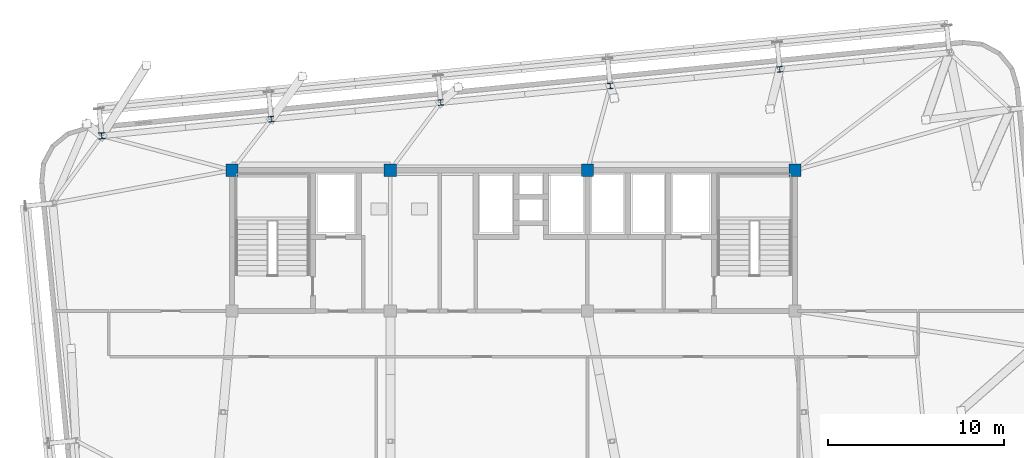
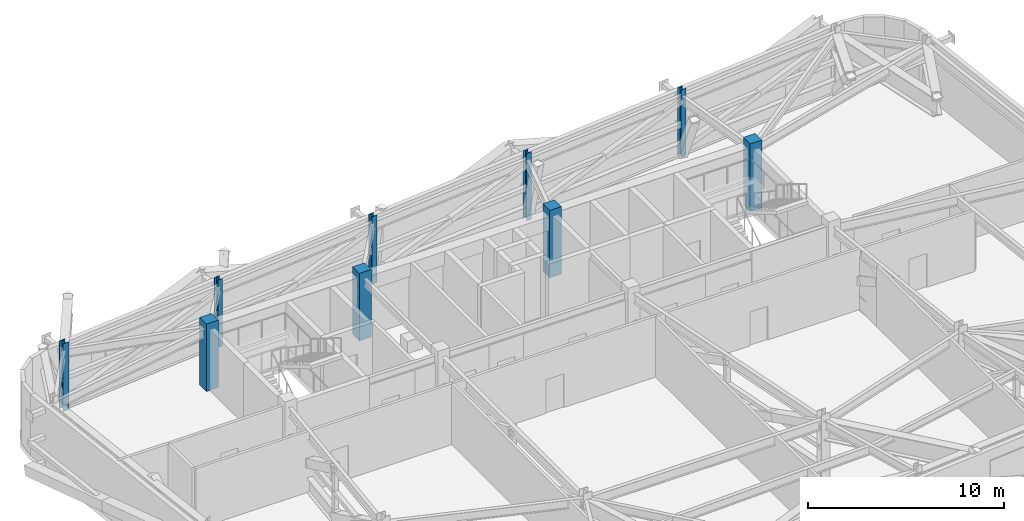
# One storey, part 3 of 24: 9 columns.
"""IFC4 building model written with IfcOpenShell, lengths in metres."""

from ifc_helpers import new_model, si_unit, direction, frame, origin, origin_2d, place, context, subcontext, project, spatial, rectangle, i_section, extrude, source, transform, mapped, material, material_profile, profile_set, type_object, element, save


model = new_model("IFC4")

# Units and contexts
model_context = context("Model", 3, precision=1e-05, world=origin(), true_north=direction((0.0, 1.0)))
body_context = subcontext(model_context, "Body", "Model", "MODEL_VIEW")
ifc_project = project(units=[si_unit("LENGTHUNIT", "METRE"), si_unit("AREAUNIT", "SQUARE_METRE"), si_unit("VOLUMEUNIT", "CUBIC_METRE"), si_unit("PLANEANGLEUNIT", "RADIAN"), si_unit("MASSUNIT", "GRAM", prefix="KILO")], contexts=[model_context])

# Site, building, storey
site_placement = place(None, origin())
site = spatial("IfcSite", under=ifc_project, at=site_placement, CompositionType="ELEMENT")
building_placement = place(site_placement, origin())
building = spatial("IfcBuilding", under=site, at=building_placement, Name="Taldren Reach Tower", CompositionType="ELEMENT")
storey_placement = place(building_placement, frame((0.0, 0.0, 112.35009765625)))
storey = spatial("IfcBuildingStorey", under=building, at=storey_placement, Name="L34", CompositionType="ELEMENT", Elevation=112.35009765625)

# Columns
ifc_material_1 = material(Name="Concrete S65 (65 MPa)", Category="concrete")
ifc_material_profile_1 = material_profile(ifc_material_1, rectangle(XDim=0.699951171875, YDim=0.699951171875, at=origin_2d()), Name="RC-700x700")
ifc_profile_set_1 = profile_set([ifc_material_profile_1], Name="Concrete S65 (65 MPa)")
column_type_1 = type_object("IfcColumnType", Name="COL-RC700", PredefinedType="COLUMN", material=ifc_profile_set_1)
shared_shape_1 = source(origin(), body_context, "Body", "SweptSolid", [
    extrude(rectangle(XDim=0.699951171875, YDim=0.699951171875, at=origin_2d()), origin(), (0.0, 0.0, 1.0), 4.199951171875),
])
for number, where, z_axis, x_axis, name in (
    (1, (19.0, 32.0, 0.0), (0.0, 0.0, 1.0), (1.0, 0.0, 0.0), "Mega column MC-C5 L34"),
    (2, (28.0, 32.0, 0.0), (0.0, 0.0, 1.0), (1.0, 0.0, 0.0), "Mega column MC-C6 L34"),
    (3, (39.199951171875, 32.0, 0.0), (0.0, 0.0, 1.0), (1.0, 0.0, 0.0), "Mega column MC-C7 L34"),
    (4, (51.0, 32.0, 0.0), (0.0, 0.0, 1.0), (1.0, 0.0, 0.0), "Mega column MC-C8 L34"),
):
    element("IfcColumn", number, at=place(storey_placement, frame(where, z_axis=z_axis, x_axis=x_axis)), inside=storey, type_object=column_type_1, Name=name, PredefinedType="COLUMN", context=body_context, shape_type="MappedRepresentation", body=[
        mapped(shared_shape_1, transform((0.0, 0.0, 0.0), scale=1.0)),
    ])
ifc_material_2 = material(Name="Steel Gr 350 (350PLUS)", Category="steel")
ifc_material_profile_2 = material_profile(ifc_material_2, i_section(OverallWidth=0.35009765625, OverallDepth=0.35595703125, WebThickness=0.01806640625, FlangeThickness=0.028076171875, at=origin_2d()), Name="350WC197")
ifc_profile_set_2 = profile_set([ifc_material_profile_2], Name="Steel Gr 350 (350PLUS)")
column_type_2 = type_object("IfcColumnType", Name="COL-WC350", PredefinedType="COLUMN", material=ifc_profile_set_2)
shared_shape_2 = source(origin(), body_context, "Body", "SweptSolid", [
    extrude(i_section(OverallWidth=0.35009765625, OverallDepth=0.35595703125, WebThickness=0.01806640625, FlangeThickness=0.028076171875, at=origin_2d()), origin(), (0.0, 0.0, 1.0), 4.199951171875),
])
column_placement = place(storey_placement, frame((11.596923828125, 33.956787109375, 0.0), z_axis=(0.0, 0.0, 1.0), x_axis=(0.995227399982, 0.097582899759, 0.0)))
element("IfcColumn", 5, at=column_placement, inside=storey, type_object=column_type_2, Name="Block B2 perimeter column N1 L34", PredefinedType="COLUMN", context=body_context, shape_type="MappedRepresentation", body=[
    mapped(shared_shape_2, transform((0.0, 0.0, 0.0), scale=1.0)),
])
ifc_material_profile_3 = material_profile(ifc_material_2, i_section(OverallWidth=0.306884765625, OverallDepth=0.31494140625, WebThickness=0.011962890625, FlangeThickness=0.018798828125, at=origin_2d()), Name="310UC118")
ifc_profile_set_3 = profile_set([ifc_material_profile_3], Name="Steel Gr 350 (350PLUS)")
column_type_3 = type_object("IfcColumnType", Name="COL-UC310B", PredefinedType="COLUMN", material=ifc_profile_set_3)
shared_shape_3 = source(origin(), body_context, "Body", "SweptSolid", [
    extrude(i_section(OverallWidth=0.306884765625, OverallDepth=0.31494140625, WebThickness=0.011962890625, FlangeThickness=0.018798828125, at=origin_2d()), origin(), (0.0, 0.0, 1.0), 4.199951171875),
])
for number, where, z_axis, x_axis, name in (
    (6, (21.230712890625, 34.9013671875, 0.0), (0.0, 0.0, 1.0), (0.995227399982, 0.097582899759, 0.0), "Block B2 perimeter column N2 L34"),
    (7, (30.864501953125, 35.84619140625, 0.0), (0.0, 0.0, 1.0), (0.995227399982, 0.097582899759, 0.0), "Block B2 perimeter column N3 L34"),
    (8, (40.498291015625, 36.790771484375, 0.0), (0.0, 0.0, 1.0), (0.995227399982, 0.097582899759, 0.0), "Block B2 perimeter column N4 L34"),
    (9, (50.132080078125, 37.7353515625, 0.0), (0.0, 0.0, 1.0), (0.995227399982, 0.097582899759, 0.0), "Block B2 perimeter column N5 L34"),
):
    element("IfcColumn", number, at=place(storey_placement, frame(where, z_axis=z_axis, x_axis=x_axis)), inside=storey, type_object=column_type_3, Name=name, PredefinedType="COLUMN", context=body_context, shape_type="MappedRepresentation", body=[
        mapped(shared_shape_3, transform((0.0, 0.0, 0.0), scale=1.0)),
    ])

save(model, "model.ifc")
